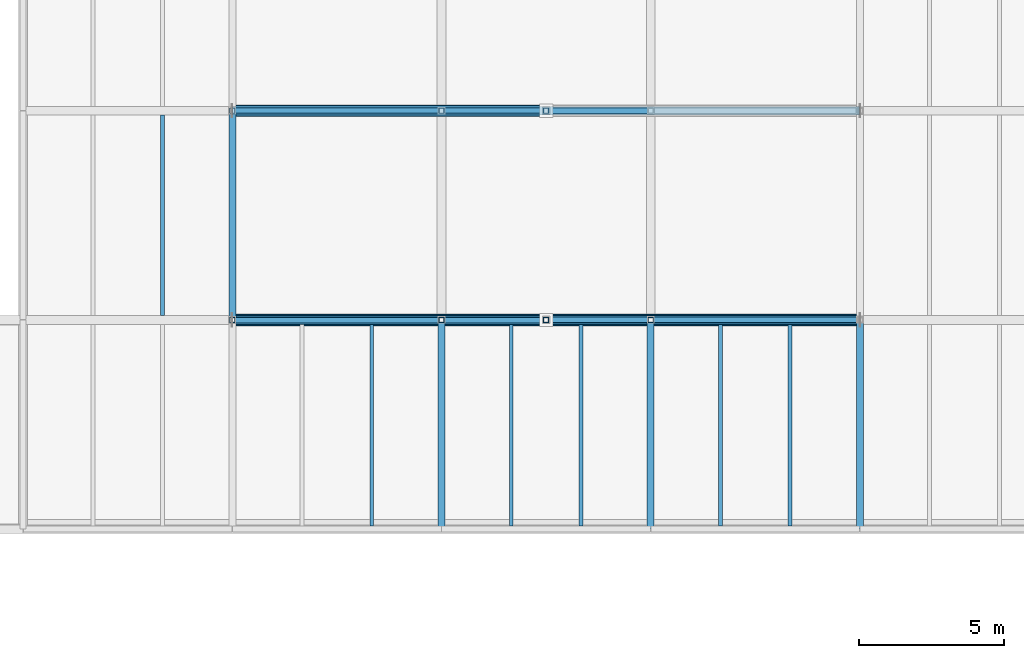
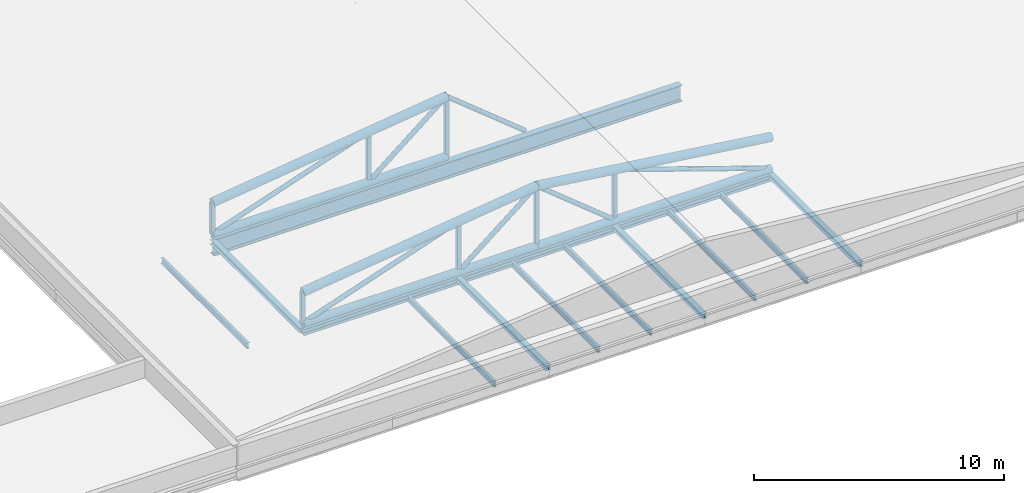
# One storey, part 29 of 91: 20 members, 14 beams.
"""IFC4 building model written with IfcOpenShell, lengths in metres."""

from ifc_helpers import new_model, si_unit, direction, frame, origin, origin_2d, place, context, subcontext, project, spatial, hollow_rectangle, hollow_circle, i_section, extrude, material, material_profile, profile_set, type_object, element, save


model = new_model("IFC4")

# Units and contexts
model_context = context("Model", 3, precision=1e-05, world=origin(), true_north=direction((0.0, 1.0)))
body_context = subcontext(model_context, "Body", "Model", "MODEL_VIEW")
ifc_project = project(units=[si_unit("LENGTHUNIT", "METRE"), si_unit("AREAUNIT", "SQUARE_METRE"), si_unit("VOLUMEUNIT", "CUBIC_METRE"), si_unit("PLANEANGLEUNIT", "RADIAN"), si_unit("MASSUNIT", "GRAM", prefix="KILO")], contexts=[model_context])

# Site, building, storey
site_placement = place(None, origin())
site = spatial("IfcSite", under=ifc_project, at=site_placement, CompositionType="ELEMENT")
building_placement = place(site_placement, origin())
building = spatial("IfcBuilding", under=site, at=building_placement, Name="Narikvali Park Central Library", CompositionType="ELEMENT")
storey_placement = place(building_placement, frame((0.0, 0.0, 14.39990234375)))
storey = spatial("IfcBuildingStorey", under=building, at=storey_placement, Name="L03", CompositionType="ELEMENT", Elevation=14.39990234375)

# Members
ifc_material = material(Name="Steel S355", Category="steel")
ifc_material_profile_1 = material_profile(ifc_material, hollow_circle(Radius=0.109619140625, WallThickness=0.012451171875, at=origin_2d()), Name="CHS 219.1x12.5")
ifc_profile_set_1 = profile_set([ifc_material_profile_1], Name="Steel S355")
member_type_1 = type_object("IfcMemberType", Name="Auditorium End Truss Web CHS219x12", PredefinedType="BRACE", material=ifc_profile_set_1)
for number, where, z_axis, x_axis, name in (
    (1, (129.60009765625, 86.39990234375, -0.02001953125), (0.946684072105, 0.0, 0.322163417573), (0.0, 1.0, 0.0), "Auditorium Truss 1 Web Diagonal 1"),
    (2, (151.199951171875, 86.39990234375, -0.02001953125), (-0.946684072105, 0.0, 0.322163417573), (0.0, -1.0, 0.0), "Auditorium Truss 1 Web Diagonal 3"),
    (3, (129.60009765625, 93.60009765625, -0.02001953125), (0.946684072105, 0.0, 0.322163417573), (0.0, 1.0, 0.0), "Auditorium Truss 2 Web Diagonal 1"),
):
    element("IfcMember", number, at=place(storey_placement, frame(where, z_axis=z_axis, x_axis=x_axis)), inside=storey, type_object=member_type_1, Name=name, PredefinedType="BRACE", context=body_context, shape_type="SweptSolid", body=[
        extrude(hollow_circle(Radius=0.109619140625, WallThickness=0.012451171875, at=origin_2d()), origin(), (0.0, 0.0, 1.0), 7.60546875),
    ])

# Beam
ifc_material_profile_2 = material_profile(ifc_material, i_section(OverallWidth=0.300048828125, OverallDepth=0.800048828125, WebThickness=0.017578125, FlangeThickness=0.032958984375, FilletRadius=0.030029296875, at=origin_2d()), Name="HEB 800")
ifc_profile_set_2 = profile_set([ifc_material_profile_2], Name="Steel S355")
beam_type_1 = type_object("IfcBeamType", Name="Auditorium Long-Span Girder HEB800", PredefinedType="BEAM", material=ifc_profile_set_2)
beam_1_placement = place(storey_placement, frame((129.60791015625, 93.60009765625, -0.639892578125), z_axis=(1.0, 0.0, 0.0), x_axis=(0.0, 1.0, 0.0)))
element("IfcBeam", 4, at=beam_1_placement, inside=storey, type_object=beam_type_1, Name="V3 L03 Girder X", PredefinedType="BEAM", context=body_context, shape_type="SweptSolid", body=[
    extrude(i_section(OverallWidth=0.300048828125, OverallDepth=0.800048828125, WebThickness=0.017578125, FlangeThickness=0.032958984375, FilletRadius=0.030029296875, at=origin_2d()), origin(), (0.0, 0.0, 1.0), 21.583984375),
])

# Members
ifc_material_profile_3 = material_profile(ifc_material, hollow_circle(Radius=0.203125, WallThickness=0.01611328125, at=origin_2d()), Name="CHS 406.4x16")
ifc_profile_set_3 = profile_set([ifc_material_profile_3], Name="Steel S355")
member_type_2 = type_object("IfcMemberType", Name="Auditorium Top Truss Chord CHS406", PredefinedType="CHORD", material=ifc_profile_set_3)
member_1_placement = place(storey_placement, frame((129.60009765625, 86.39990234375, 1.5), z_axis=(0.991700495311, 0.0, 0.128569543824), x_axis=(0.0, 1.0, 0.0)))
element("IfcMember", 5, at=member_1_placement, inside=storey, type_object=member_type_2, Name="Auditorium Truss 1 Top Chord W", PredefinedType="CHORD", context=body_context, shape_type="SweptSolid", body=[
    extrude(hollow_circle(Radius=0.203125, WallThickness=0.01611328125, at=origin_2d()), origin(), (0.0, 0.0, 1.0), 10.89013671875),
])
member_2_placement = place(storey_placement, frame((140.39990234375, 86.39990234375, 2.900146484375), z_axis=(0.991700865878, 0.0, -0.128566685485), x_axis=(0.0, 1.0, 0.0)))
element("IfcMember", 6, at=member_2_placement, inside=storey, type_object=member_type_2, Name="Auditorium Truss 1 Top Chord E", PredefinedType="CHORD", context=body_context, shape_type="SweptSolid", body=[
    extrude(hollow_circle(Radius=0.203125, WallThickness=0.01611328125, at=origin_2d()), origin(), (0.0, 0.0, 1.0), 10.890380859375),
])
member_3_placement = place(storey_placement, frame((129.60009765625, 93.60009765625, 1.5), z_axis=(0.991700495311, 0.0, 0.128569543824), x_axis=(0.0, 1.0, 0.0)))
element("IfcMember", 7, at=member_3_placement, inside=storey, type_object=member_type_2, Name="Auditorium Truss 2 Top Chord W", PredefinedType="CHORD", context=body_context, shape_type="SweptSolid", body=[
    extrude(hollow_circle(Radius=0.203125, WallThickness=0.01611328125, at=origin_2d()), origin(), (0.0, 0.0, 1.0), 10.89013671875),
])
ifc_material_profile_4 = material_profile(ifc_material, hollow_circle(Radius=0.177734375, WallThickness=0.01611328125, at=origin_2d()), Name="CHS 355.6x16")
ifc_profile_set_4 = profile_set([ifc_material_profile_4], Name="Steel S355")
member_type_3 = type_object("IfcMemberType", Name="Auditorium Truss Chord CHS355", PredefinedType="CHORD", material=ifc_profile_set_4)
member_4_placement = place(storey_placement, frame((129.60009765625, 86.39990234375, -0.02001953125), z_axis=(1.0, 0.0, 0.0), x_axis=(0.0, 1.0, 0.0)))
element("IfcMember", 8, at=member_4_placement, inside=storey, type_object=member_type_3, Name="Auditorium Truss 1 Bottom Chord W", PredefinedType="CHORD", context=body_context, shape_type="SweptSolid", body=[
    extrude(hollow_circle(Radius=0.177734375, WallThickness=0.01611328125, at=origin_2d()), origin(), (0.0, 0.0, 1.0), 10.7998046875),
])
member_5_placement = place(storey_placement, frame((140.39990234375, 86.39990234375, -0.02001953125), z_axis=(1.0, 0.0, 0.0), x_axis=(0.0, 1.0, 0.0)))
element("IfcMember", 9, at=member_5_placement, inside=storey, type_object=member_type_3, Name="Auditorium Truss 1 Bottom Chord E", PredefinedType="CHORD", context=body_context, shape_type="SweptSolid", body=[
    extrude(hollow_circle(Radius=0.177734375, WallThickness=0.01611328125, at=origin_2d()), origin(), (0.0, 0.0, 1.0), 10.800048828125),
])
member_6_placement = place(storey_placement, frame((129.60009765625, 93.60009765625, -0.02001953125), z_axis=(1.0, 0.0, 0.0), x_axis=(0.0, 1.0, 0.0)))
element("IfcMember", 10, at=member_6_placement, inside=storey, type_object=member_type_3, Name="Auditorium Truss 2 Bottom Chord W", PredefinedType="CHORD", context=body_context, shape_type="SweptSolid", body=[
    extrude(hollow_circle(Radius=0.177734375, WallThickness=0.01611328125, at=origin_2d()), origin(), (0.0, 0.0, 1.0), 10.7998046875),
])
ifc_material_profile_5 = material_profile(ifc_material, hollow_rectangle(XDim=0.179931640625, YDim=0.179931640625, WallThickness=0.010009765625, at=origin_2d()), Name="SHS 180x180x10")
ifc_profile_set_5 = profile_set([ifc_material_profile_5], Name="Steel S355")
member_type_4 = type_object("IfcMemberType", Name="Auditorium Truss Vertical SHS180", PredefinedType="COLLAR", material=ifc_profile_set_5)
member_7_placement = place(storey_placement, frame((129.60009765625, 86.39990234375, -0.02001953125), z_axis=(0.0, 0.0, 1.0), x_axis=(1.0, 0.0, 0.0)))
element("IfcMember", 11, at=member_7_placement, inside=storey, type_object=member_type_4, Name="Auditorium Truss 1 Vertical 1", PredefinedType="COLLAR", context=body_context, shape_type="SweptSolid", body=[
    extrude(hollow_rectangle(XDim=0.179931640625, YDim=0.179931640625, WallThickness=0.010009765625, at=origin_2d()), origin(), (0.0, 0.0, 1.0), 1.52001953125),
])
member_8_placement = place(storey_placement, frame((136.800048828125, 86.39990234375, -0.02001953125), z_axis=(0.0, 0.0, 1.0), x_axis=(1.0, 0.0, 0.0)))
element("IfcMember", 12, at=member_8_placement, inside=storey, type_object=member_type_4, Name="Auditorium Truss 1 Vertical 2", PredefinedType="COLLAR", context=body_context, shape_type="SweptSolid", body=[
    extrude(hollow_rectangle(XDim=0.179931640625, YDim=0.179931640625, WallThickness=0.010009765625, at=origin_2d()), origin(), (0.0, 0.0, 1.0), 2.4501953125),
])
member_9_placement = place(storey_placement, frame((140.39990234375, 86.39990234375, -0.02001953125), z_axis=(0.0, 0.0, 1.0), x_axis=(1.0, 0.0, 0.0)))
element("IfcMember", 13, at=member_9_placement, inside=storey, type_object=member_type_4, Name="Auditorium Truss 1 Vertical 3", PredefinedType="COLLAR", context=body_context, shape_type="SweptSolid", body=[
    extrude(hollow_rectangle(XDim=0.179931640625, YDim=0.179931640625, WallThickness=0.010009765625, at=origin_2d()), origin(), (0.0, 0.0, 1.0), 2.920166015625),
])
member_10_placement = place(storey_placement, frame((144.0, 86.39990234375, -0.02001953125), z_axis=(0.0, 0.0, 1.0), x_axis=(1.0, 0.0, 0.0)))
element("IfcMember", 14, at=member_10_placement, inside=storey, type_object=member_type_4, Name="Auditorium Truss 1 Vertical 4", PredefinedType="COLLAR", context=body_context, shape_type="SweptSolid", body=[
    extrude(hollow_rectangle(XDim=0.179931640625, YDim=0.179931640625, WallThickness=0.010009765625, at=origin_2d()), origin(), (0.0, 0.0, 1.0), 2.4501953125),
])
member_11_placement = place(storey_placement, frame((129.60009765625, 93.60009765625, -0.02001953125), z_axis=(0.0, 0.0, 1.0), x_axis=(1.0, 0.0, 0.0)))
element("IfcMember", 15, at=member_11_placement, inside=storey, type_object=member_type_4, Name="Auditorium Truss 2 Vertical 1", PredefinedType="COLLAR", context=body_context, shape_type="SweptSolid", body=[
    extrude(hollow_rectangle(XDim=0.179931640625, YDim=0.179931640625, WallThickness=0.010009765625, at=origin_2d()), origin(), (0.0, 0.0, 1.0), 1.52001953125),
])
member_12_placement = place(storey_placement, frame((136.800048828125, 93.60009765625, -0.02001953125), z_axis=(0.0, 0.0, 1.0), x_axis=(1.0, 0.0, 0.0)))
element("IfcMember", 16, at=member_12_placement, inside=storey, type_object=member_type_4, Name="Auditorium Truss 2 Vertical 2", PredefinedType="COLLAR", context=body_context, shape_type="SweptSolid", body=[
    extrude(hollow_rectangle(XDim=0.179931640625, YDim=0.179931640625, WallThickness=0.010009765625, at=origin_2d()), origin(), (0.0, 0.0, 1.0), 2.4501953125),
])
member_13_placement = place(storey_placement, frame((140.39990234375, 93.60009765625, -0.02001953125), z_axis=(0.0, 0.0, 1.0), x_axis=(1.0, 0.0, 0.0)))
element("IfcMember", 17, at=member_13_placement, inside=storey, type_object=member_type_4, Name="Auditorium Truss 2 Vertical 3", PredefinedType="COLLAR", context=body_context, shape_type="SweptSolid", body=[
    extrude(hollow_rectangle(XDim=0.179931640625, YDim=0.179931640625, WallThickness=0.010009765625, at=origin_2d()), origin(), (0.0, 0.0, 1.0), 2.920166015625),
])
ifc_material_profile_6 = material_profile(ifc_material, hollow_circle(Radius=0.109619140625, WallThickness=0.010009765625, at=origin_2d()), Name="CHS 219.1x10")
ifc_profile_set_6 = profile_set([ifc_material_profile_6], Name="Steel S355")
member_type_5 = type_object("IfcMemberType", Name="Auditorium Truss Web CHS219", PredefinedType="BRACE", material=ifc_profile_set_6)
member_14_placement = place(storey_placement, frame((136.800048828125, 86.39990234375, -0.02001953125), z_axis=(0.776611577862, 0.0, 0.629979727555), x_axis=(0.0, 1.0, 0.0)))
element("IfcMember", 18, at=member_14_placement, inside=storey, type_object=member_type_5, Name="Auditorium Truss 1 Web Diagonal 2", PredefinedType="BRACE", context=body_context, shape_type="SweptSolid", body=[
    extrude(hollow_circle(Radius=0.109619140625, WallThickness=0.010009765625, at=origin_2d()), origin(), (0.0, 0.0, 1.0), 4.63525390625),
])
member_15_placement = place(storey_placement, frame((144.0, 86.39990234375, -0.02001953125), z_axis=(-0.776632479753, 0.0, 0.62995395974), x_axis=(0.0, -1.0, 0.0)))
element("IfcMember", 19, at=member_15_placement, inside=storey, type_object=member_type_5, Name="Auditorium Truss 1 Web Diagonal 4", PredefinedType="BRACE", context=body_context, shape_type="SweptSolid", body=[
    extrude(hollow_circle(Radius=0.109619140625, WallThickness=0.010009765625, at=origin_2d()), origin(), (0.0, 0.0, 1.0), 4.635498046875),
])
member_16_placement = place(storey_placement, frame((136.800048828125, 93.60009765625, -0.02001953125), z_axis=(0.776611577862, 0.0, 0.629979727555), x_axis=(0.0, 1.0, 0.0)))
element("IfcMember", 20, at=member_16_placement, inside=storey, type_object=member_type_5, Name="Auditorium Truss 2 Web Diagonal 2", PredefinedType="BRACE", context=body_context, shape_type="SweptSolid", body=[
    extrude(hollow_circle(Radius=0.109619140625, WallThickness=0.010009765625, at=origin_2d()), origin(), (0.0, 0.0, 1.0), 4.63525390625),
])
member_17_placement = place(storey_placement, frame((144.0, 93.60009765625, -0.02001953125), z_axis=(-0.776632479753, 0.0, 0.62995395974), x_axis=(0.0, -1.0, 0.0)))
element("IfcMember", 21, at=member_17_placement, inside=storey, type_object=member_type_5, Name="Auditorium Truss 2 Web Diagonal 4", PredefinedType="BRACE", context=body_context, shape_type="SweptSolid", body=[
    extrude(hollow_circle(Radius=0.109619140625, WallThickness=0.010009765625, at=origin_2d()), origin(), (0.0, 0.0, 1.0), 4.635498046875),
])

# Beams
ifc_material_profile_7 = material_profile(ifc_material, i_section(OverallWidth=0.135009765625, OverallDepth=0.27001953125, WebThickness=0.006591796875, FlangeThickness=0.01025390625, FilletRadius=0.014892578125, at=origin_2d()), Name="IPE 270")
ifc_profile_set_7 = profile_set([ifc_material_profile_7], Name="Steel S355")
beam_type_2 = type_object("IfcBeamType", Name="Composite Floor Joist IPE270", PredefinedType="JOIST", material=ifc_profile_set_7)
beam_2_placement = place(storey_placement, frame((127.199951171875, 86.550048828125, -0.375), z_axis=(0.0, 1.0, 0.0), x_axis=(-1.0, 0.0, 0.0)))
element("IfcBeam", 22, at=beam_2_placement, inside=storey, type_object=beam_type_2, Name="V3 L03 Composite Joist 2", PredefinedType="JOIST", context=body_context, shape_type="SweptSolid", body=[
    extrude(i_section(OverallWidth=0.135009765625, OverallDepth=0.27001953125, WebThickness=0.006591796875, FlangeThickness=0.01025390625, FilletRadius=0.014892578125, at=origin_2d()), origin(), (0.0, 0.0, 1.0), 6.89990234375),
])
for number, where, z_axis, x_axis, name in (
    (23, (134.39990234375, 79.304931640625, -0.375), (0.0, 1.0, 0.0), (-1.0, 0.0, 0.0), "V3 L03 Composite Joist 2"),
    (24, (139.199951171875, 79.304931640625, -0.375), (0.0, 1.0, 0.0), (-1.0, 0.0, 0.0), "V3 L03 Composite Joist 1"),
    (25, (141.60009765625, 79.304931640625, -0.375), (0.0, 1.0, 0.0), (-1.0, 0.0, 0.0), "V3 L03 Composite Joist 2"),
    (26, (146.39990234375, 79.304931640625, -0.375), (0.0, 1.0, 0.0), (-1.0, 0.0, 0.0), "V3 L03 Composite Joist 1"),
    (27, (148.800048828125, 79.304931640625, -0.375), (0.0, 1.0, 0.0), (-1.0, 0.0, 0.0), "V3 L03 Composite Joist 2"),
):
    element("IfcBeam", number, at=place(storey_placement, frame(where, z_axis=z_axis, x_axis=x_axis)), inside=storey, type_object=beam_type_2, Name=name, PredefinedType="JOIST", context=body_context, shape_type="SweptSolid", body=[
        extrude(i_section(OverallWidth=0.135009765625, OverallDepth=0.27001953125, WebThickness=0.006591796875, FlangeThickness=0.01025390625, FilletRadius=0.014892578125, at=origin_2d()), origin(), (0.0, 0.0, 1.0), 6.945068359375),
    ])
ifc_material_profile_8 = material_profile(ifc_material, i_section(OverallWidth=0.239990234375, OverallDepth=0.22998046875, WebThickness=0.007568359375, FlangeThickness=0.011962890625, FilletRadius=0.02099609375, at=origin_2d()), Name="HEA 240")
ifc_profile_set_8 = profile_set([ifc_material_profile_8], Name="Steel S355")
beam_type_3 = type_object("IfcBeamType", Name="Primary Girder HEA240", PredefinedType="BEAM", material=ifc_profile_set_8)
for number, where, z_axis, x_axis, name in (
    (28, (129.60009765625, 86.407958984375, -0.35498046875), (0.0, 1.0, 0.0), (-1.0, 0.0, 0.0), "V3 L03 Girder Y"),
    (29, (136.800048828125, 79.2080078125, -0.35498046875), (0.0, 1.0, 0.0), (-1.0, 0.0, 0.0), "V3 L03 Girder Y"),
    (30, (144.0, 79.2080078125, -0.35498046875), (0.0, 1.0, 0.0), (-1.0, 0.0, 0.0), "V3 L03 Girder Y"),
    (31, (151.199951171875, 79.2080078125, -0.35498046875), (0.0, 1.0, 0.0), (-1.0, 0.0, 0.0), "V3 L03 Girder Y"),
):
    element("IfcBeam", number, at=place(storey_placement, frame(where, z_axis=z_axis, x_axis=x_axis)), inside=storey, type_object=beam_type_3, Name=name, PredefinedType="BEAM", context=body_context, shape_type="SweptSolid", body=[
        extrude(i_section(OverallWidth=0.239990234375, OverallDepth=0.22998046875, WebThickness=0.007568359375, FlangeThickness=0.011962890625, FilletRadius=0.02099609375, at=origin_2d()), origin(), (0.0, 0.0, 1.0), 7.18408203125),
    ])
ifc_material_profile_9 = material_profile(ifc_material, i_section(OverallWidth=0.300048828125, OverallDepth=0.31005859375, WebThickness=0.009033203125, FlangeThickness=0.015380859375, FilletRadius=0.027099609375, at=origin_2d()), Name="HEA 320")
ifc_profile_set_9 = profile_set([ifc_material_profile_9], Name="Steel S355")
beam_type_4 = type_object("IfcBeamType", Name="Primary Girder HEA320", PredefinedType="BEAM", material=ifc_profile_set_9)
beam_3_placement = place(storey_placement, frame((129.60791015625, 86.39990234375, -0.39501953125), z_axis=(1.0, 0.0, 0.0), x_axis=(0.0, 1.0, 0.0)))
element("IfcBeam", 32, at=beam_3_placement, inside=storey, type_object=beam_type_4, Name="V3 L03 Girder X", PredefinedType="BEAM", context=body_context, shape_type="SweptSolid", body=[
    extrude(i_section(OverallWidth=0.300048828125, OverallDepth=0.31005859375, WebThickness=0.009033203125, FlangeThickness=0.015380859375, FilletRadius=0.027099609375, at=origin_2d()), origin(), (0.0, 0.0, 1.0), 7.18408203125),
])
for number, where, z_axis, x_axis, name in (
    (33, (136.80810546875, 86.39990234375, -0.39501953125), (1.0, 0.0, 0.0), (0.0, 1.0, 0.0), "V3 L03 Girder X"),
    (34, (144.008056640625, 86.39990234375, -0.39501953125), (1.0, 0.0, 0.0), (0.0, 1.0, 0.0), "V3 L03 Girder X"),
):
    element("IfcBeam", number, at=place(storey_placement, frame(where, z_axis=z_axis, x_axis=x_axis)), inside=storey, type_object=beam_type_4, Name=name, PredefinedType="BEAM", context=body_context, shape_type="SweptSolid", body=[
        extrude(i_section(OverallWidth=0.300048828125, OverallDepth=0.31005859375, WebThickness=0.009033203125, FlangeThickness=0.015380859375, FilletRadius=0.027099609375, at=origin_2d()), origin(), (0.0, 0.0, 1.0), 7.183837890625),
    ])

save(model, "model.ifc")
